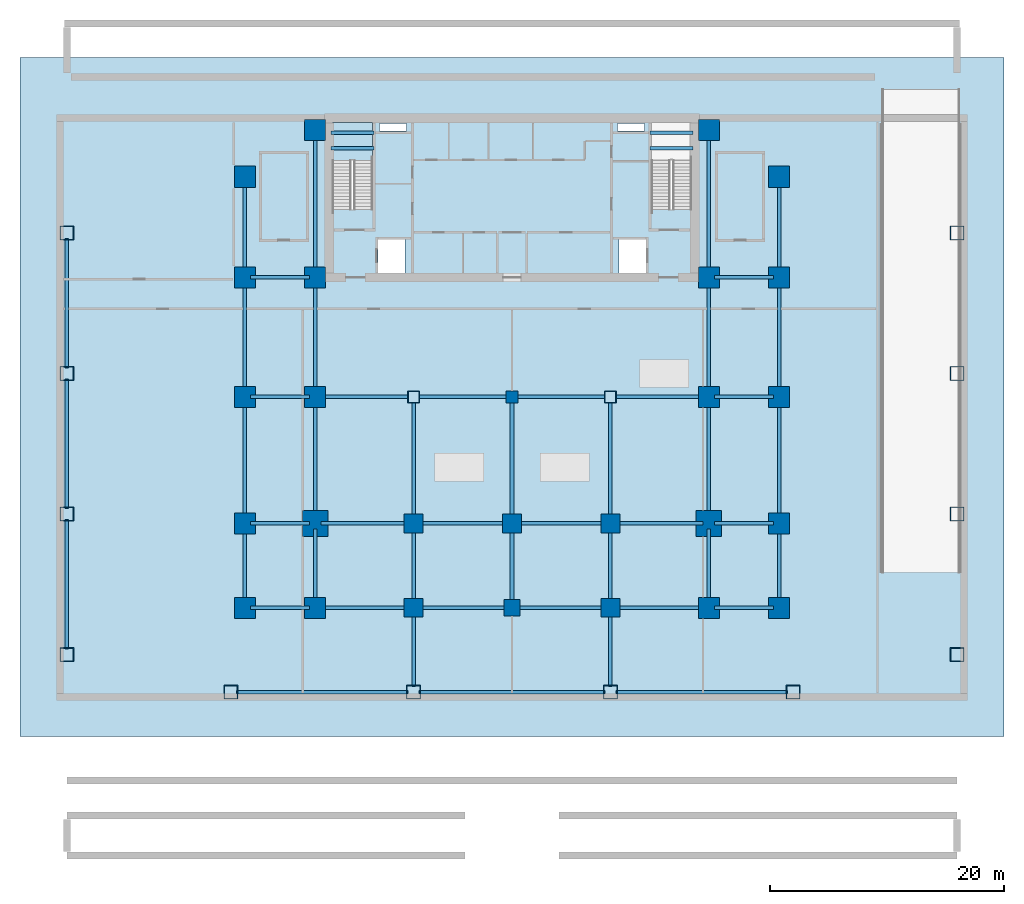
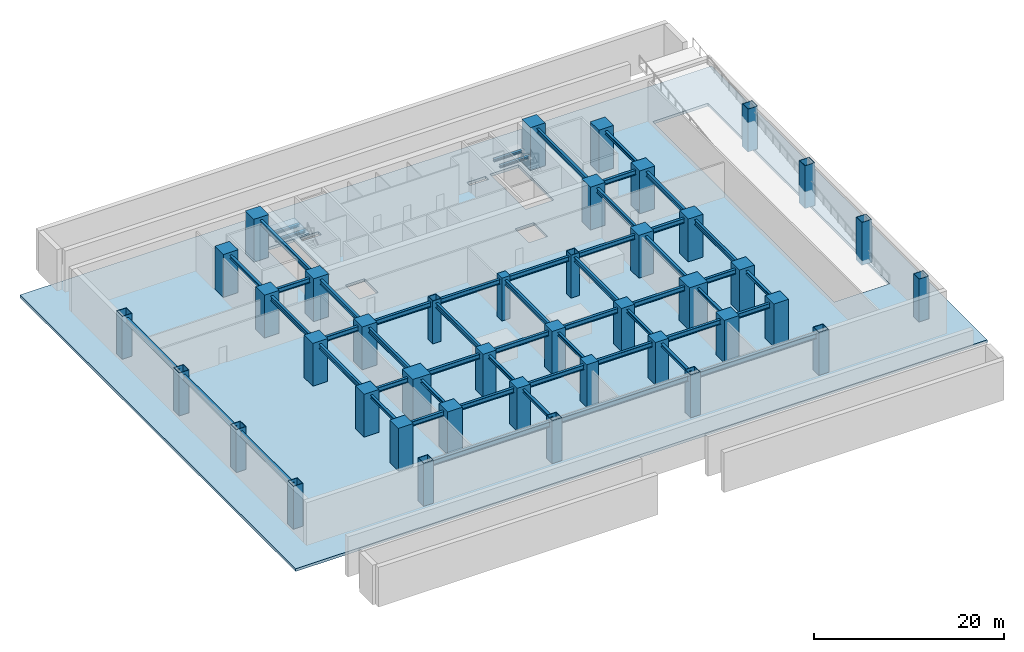
# One storey, part 1 of 8: 54 beams, 41 columns, 2 slabs, 1 element without a shape of its own.
"""IFC4 building model written with IfcOpenShell, lengths in metres."""

from ifc_helpers import new_model, si_unit, direction, frame, origin, origin_with_axes, origin_2d, place, context, subcontext, project, spatial, polyline, rectangle, hollow_rectangle, i_section, outline, extrude, source, transform, mapped, material, layer, layer_set, material_profile, profile_set, type_object, element, aggregate, save


model = new_model("IFC4")

# Units and contexts
model_context = context("Model", 3, precision=1e-05, world=origin(), true_north=direction((0.0, 1.0)))
body_context = subcontext(model_context, "Body", "Model", "MODEL_VIEW")
ifc_project = project(units=[si_unit("LENGTHUNIT", "METRE"), si_unit("AREAUNIT", "SQUARE_METRE"), si_unit("VOLUMEUNIT", "CUBIC_METRE"), si_unit("PLANEANGLEUNIT", "RADIAN"), si_unit("MASSUNIT", "GRAM", prefix="KILO")], contexts=[model_context])

# Site, building, storey
site_placement = place(None, origin())
site = spatial("IfcSite", under=ifc_project, at=site_placement, CompositionType="ELEMENT")
building_placement = place(site_placement, origin())
building = spatial("IfcBuilding", under=site, at=building_placement, Name="Sumidabori Civic Tower", CompositionType="ELEMENT")
storey_placement = place(building_placement, frame((0.0, 0.0, -5.5)))
storey = spatial("IfcBuildingStorey", under=building, at=storey_placement, Name="B1", CompositionType="ELEMENT", Elevation=-5.5)

# Columns
ifc_material_1 = material(Name="Steel SM570", Category="steel")
ifc_material_profile_1 = material_profile(ifc_material_1, hollow_rectangle(XDim=1.199951171875, YDim=1.199951171875, WallThickness=0.054931640625, at=origin_2d()), Name="SHS 1200x1200x55")
ifc_profile_set_1 = profile_set([ifc_material_profile_1], Name="Steel SM570")
column_type_1 = type_object("IfcColumnType", Name="CL-POD-SHS1200", PredefinedType="COLUMN", material=ifc_profile_set_1)
shared_shape_1 = source(origin(), body_context, "Body", "SweptSolid", [
    extrude(hollow_rectangle(XDim=1.199951171875, YDim=1.199951171875, WallThickness=0.054931640625, at=origin_2d()), origin(), (0.0, 0.0, 1.0), 5.5),
])
for number, where, z_axis, x_axis, name in (
    (1, (-38.0, -22.0, 0.0), (0.0, 0.0, 1.0), (1.0, 0.0, 0.0), "Column PC-W1 B1"),
    (2, (-38.0, -10.0, 0.0), (0.0, 0.0, 1.0), (1.0, 0.0, 0.0), "Column PC-W2 B1"),
    (3, (-38.0, 2.0, 0.0), (0.0, 0.0, 1.0), (1.0, 0.0, 0.0), "Column PC-W3 B1"),
    (4, (-38.0, 14.0, 0.0), (0.0, 0.0, 1.0), (1.0, 0.0, 0.0), "Column PC-W4 B1"),
    (5, (38.0, -22.0, 0.0), (0.0, 0.0, 1.0), (1.0, 0.0, 0.0), "Column PC-E1 B1"),
    (6, (38.0, -10.0, 0.0), (0.0, 0.0, 1.0), (1.0, 0.0, 0.0), "Column PC-E2 B1"),
    (7, (38.0, 2.0, 0.0), (0.0, 0.0, 1.0), (1.0, 0.0, 0.0), "Column PC-E3 B1"),
    (8, (38.0, 14.0, 0.0), (0.0, 0.0, 1.0), (1.0, 0.0, 0.0), "Column PC-E4 B1"),
    (9, (-24.0, -25.199951171875, 0.0), (0.0, 0.0, 1.0), (1.0, 0.0, 0.0), "Column PC-S1 B1"),
    (10, (-8.39990234375, -25.199951171875, 0.0), (0.0, 0.0, 1.0), (1.0, 0.0, 0.0), "Column PC-S2 B1"),
    (11, (8.39990234375, -25.199951171875, 0.0), (0.0, 0.0, 1.0), (1.0, 0.0, 0.0), "Column PC-S3 B1"),
    (12, (24.0, -25.199951171875, 0.0), (0.0, 0.0, 1.0), (1.0, 0.0, 0.0), "Column PC-S4 B1"),
):
    element("IfcColumn", number, at=place(storey_placement, frame(where, z_axis=z_axis, x_axis=x_axis)), inside=storey, type_object=column_type_1, Name=name, PredefinedType="COLUMN", context=body_context, shape_type="MappedRepresentation", body=[
        mapped(shared_shape_1, transform((0.0, 0.0, 0.0), x_axis=(1.0, 0.0, 0.0), y_axis=(0.0, 1.0, 0.0), z_axis=(0.0, 0.0, 1.0), scale=1.0)),
    ])
ifc_material_2 = material(Name="Concrete C60/75", Category="concrete")
ifc_material_profile_2 = material_profile(ifc_material_2, rectangle(XDim=1.800048828125, YDim=1.800048828125, at=origin_2d()), Name="RC 1800x1800")
ifc_profile_set_2 = profile_set([ifc_material_profile_2], Name="Concrete C60/75")
column_type_2 = type_object("IfcColumnType", Name="CL-MEGA-1800", PredefinedType="COLUMN", material=ifc_profile_set_2)
shared_shape_2 = source(origin(), body_context, "Body", "SweptSolid", [
    extrude(rectangle(XDim=1.800048828125, YDim=1.800048828125, at=origin_2d()), origin(), (0.0, 0.0, 1.0), 5.5),
])
for number, where, z_axis, x_axis, name in (
    (13, (-16.800048828125, -18.0, 0.0), (0.0, 0.0, 1.0), (1.0, 0.0, 0.0), "Column MC-W16-Y18S B1"),
    (14, (-16.800048828125, 0.0, 0.0), (0.0, 0.0, 1.0), (1.0, 0.0, 0.0), "Column MC-W16-Y00 B1"),
    (15, (-16.800048828125, 10.199951171875, 0.0), (0.0, 0.0, 1.0), (1.0, 0.0, 0.0), "Column MC-W16-Y10N B1"),
    (16, (-16.800048828125, 22.800048828125, 0.0), (0.0, 0.0, 1.0), (1.0, 0.0, 0.0), "Column MC-W16-Y23N B1"),
    (17, (16.800048828125, -18.0, 0.0), (0.0, 0.0, 1.0), (1.0, 0.0, 0.0), "Column MC-E16-Y18S B1"),
    (18, (16.800048828125, 0.0, 0.0), (0.0, 0.0, 1.0), (1.0, 0.0, 0.0), "Column MC-E16-Y00 B1"),
    (19, (16.800048828125, 10.199951171875, 0.0), (0.0, 0.0, 1.0), (1.0, 0.0, 0.0), "Column MC-E16-Y10N B1"),
    (20, (16.800048828125, 22.800048828125, 0.0), (0.0, 0.0, 1.0), (1.0, 0.0, 0.0), "Column MC-E16-Y23N B1"),
    (21, (-22.800048828125, -18.0, 0.0), (0.0, 0.0, 1.0), (1.0, 0.0, 0.0), "Column MC-W23-Y18S B1"),
    (22, (-22.800048828125, -10.800048828125, 0.0), (0.0, 0.0, 1.0), (1.0, 0.0, 0.0), "Column MC-W23-Y11S B1"),
    (23, (-22.800048828125, 0.0, 0.0), (0.0, 0.0, 1.0), (1.0, 0.0, 0.0), "Column MC-W23-Y00 B1"),
    (24, (-22.800048828125, 10.199951171875, 0.0), (0.0, 0.0, 1.0), (1.0, 0.0, 0.0), "Column MC-W23-Y10N B1"),
    (25, (-22.800048828125, 18.800048828125, 0.0), (0.0, 0.0, 1.0), (1.0, 0.0, 0.0), "Column MC-W23-Y19N B1"),
    (26, (22.800048828125, -18.0, 0.0), (0.0, 0.0, 1.0), (1.0, 0.0, 0.0), "Column MC-E23-Y18S B1"),
    (27, (22.800048828125, -10.800048828125, 0.0), (0.0, 0.0, 1.0), (1.0, 0.0, 0.0), "Column MC-E23-Y11S B1"),
    (28, (22.800048828125, 0.0, 0.0), (0.0, 0.0, 1.0), (1.0, 0.0, 0.0), "Column MC-E23-Y00 B1"),
    (29, (22.800048828125, 10.199951171875, 0.0), (0.0, 0.0, 1.0), (1.0, 0.0, 0.0), "Column MC-E23-Y10N B1"),
    (30, (22.800048828125, 18.800048828125, 0.0), (0.0, 0.0, 1.0), (1.0, 0.0, 0.0), "Column MC-E23-Y19N B1"),
):
    element("IfcColumn", number, at=place(storey_placement, frame(where, z_axis=z_axis, x_axis=x_axis)), inside=storey, type_object=column_type_2, Name=name, PredefinedType="COLUMN", context=body_context, shape_type="MappedRepresentation", body=[
        mapped(shared_shape_2, transform((0.0, 0.0, 0.0), x_axis=(1.0, 0.0, 0.0), y_axis=(0.0, 1.0, 0.0), z_axis=(0.0, 0.0, 1.0), scale=1.0)),
    ])
ifc_material_profile_3 = material_profile(ifc_material_2, rectangle(XDim=2.199951171875, YDim=2.199951171875, at=origin_2d()), Name="RC 2200x2200")
ifc_profile_set_3 = profile_set([ifc_material_profile_3], Name="Concrete C60/75")
column_type_3 = type_object("IfcColumnType", Name="CL-SUPER-2200", PredefinedType="COLUMN", material=ifc_profile_set_3)
shared_shape_3 = source(origin(), body_context, "Body", "SweptSolid", [
    extrude(rectangle(XDim=2.199951171875, YDim=2.199951171875, at=origin_2d()), origin(), (0.0, 0.0, 1.0), 5.5),
])
for number, where, z_axis, x_axis, name in (
    (31, (-16.800048828125, -10.800048828125, 0.0), (0.0, 0.0, 1.0), (1.0, 0.0, 0.0), "Column MC-W16-Y11S B1"),
    (32, (16.800048828125, -10.800048828125, 0.0), (0.0, 0.0, 1.0), (1.0, 0.0, 0.0), "Column MC-E16-Y11S B1"),
):
    element("IfcColumn", number, at=place(storey_placement, frame(where, z_axis=z_axis, x_axis=x_axis)), inside=storey, type_object=column_type_3, Name=name, PredefinedType="COLUMN", context=body_context, shape_type="MappedRepresentation", body=[
        mapped(shared_shape_3, transform((0.0, 0.0, 0.0), x_axis=(1.0, 0.0, 0.0), y_axis=(0.0, 1.0, 0.0), z_axis=(0.0, 0.0, 1.0), scale=1.0)),
    ])
ifc_material_profile_4 = material_profile(ifc_material_2, rectangle(XDim=1.60009765625, YDim=1.60009765625, at=origin_2d()), Name="RC 1600x1600")
ifc_profile_set_4 = profile_set([ifc_material_profile_4], Name="Concrete C60/75")
column_type_4 = type_object("IfcColumnType", Name="CL-MEGA-1600", PredefinedType="COLUMN", material=ifc_profile_set_4)
shared_shape_4 = source(origin(), body_context, "Body", "SweptSolid", [
    extrude(rectangle(XDim=1.60009765625, YDim=1.60009765625, at=origin_2d()), origin(), (0.0, 0.0, 1.0), 5.5),
])
for number, where, z_axis, x_axis, name in (
    (33, (-8.39990234375, -18.0, 0.0), (0.0, 0.0, 1.0), (1.0, 0.0, 0.0), "Column MC-W08-Y18S B1"),
    (34, (-8.39990234375, -10.800048828125, 0.0), (0.0, 0.0, 1.0), (1.0, 0.0, 0.0), "Column MC-W08-Y11S B1"),
    (35, (8.39990234375, -18.0, 0.0), (0.0, 0.0, 1.0), (1.0, 0.0, 0.0), "Column MC-E08-Y18S B1"),
    (36, (8.39990234375, -10.800048828125, 0.0), (0.0, 0.0, 1.0), (1.0, 0.0, 0.0), "Column MC-E08-Y11S B1"),
    (37, (0.0, -10.800048828125, 0.0), (0.0, 0.0, 1.0), (1.0, 0.0, 0.0), "Column MC-C00-Y11S B1"),
):
    element("IfcColumn", number, at=place(storey_placement, frame(where, z_axis=z_axis, x_axis=x_axis)), inside=storey, type_object=column_type_4, Name=name, PredefinedType="COLUMN", context=body_context, shape_type="MappedRepresentation", body=[
        mapped(shared_shape_4, transform((0.0, 0.0, 0.0), x_axis=(1.0, 0.0, 0.0), y_axis=(0.0, 1.0, 0.0), z_axis=(0.0, 0.0, 1.0), scale=1.0)),
    ])
ifc_material_profile_5 = material_profile(ifc_material_1, hollow_rectangle(XDim=1.0, YDim=1.0, WallThickness=0.044921875, at=origin_2d()), Name="SHS 1000x1000x45")
ifc_profile_set_5 = profile_set([ifc_material_profile_5], Name="Steel SM570")
column_type_5 = type_object("IfcColumnType", Name="CL-PORTAL-SHS1000", PredefinedType="COLUMN", material=ifc_profile_set_5)
shared_shape_5 = source(origin(), body_context, "Body", "SweptSolid", [
    extrude(hollow_rectangle(XDim=1.0, YDim=1.0, WallThickness=0.044921875, at=origin_2d()), origin(), (0.0, 0.0, 1.0), 5.5),
])
for number, where, z_axis, x_axis, name in (
    (38, (-8.39990234375, 0.0, 0.0), (0.0, 0.0, 1.0), (1.0, 0.0, 0.0), "Column MC-W08-Y00 B1"),
    (39, (8.39990234375, 0.0, 0.0), (0.0, 0.0, 1.0), (1.0, 0.0, 0.0), "Column MC-E08-Y00 B1"),
):
    element("IfcColumn", number, at=place(storey_placement, frame(where, z_axis=z_axis, x_axis=x_axis)), inside=storey, type_object=column_type_5, Name=name, PredefinedType="COLUMN", context=body_context, shape_type="MappedRepresentation", body=[
        mapped(shared_shape_5, transform((0.0, 0.0, 0.0), x_axis=(1.0, 0.0, 0.0), y_axis=(0.0, 1.0, 0.0), z_axis=(0.0, 0.0, 1.0), scale=1.0)),
    ])
ifc_material_profile_6 = material_profile(ifc_material_2, rectangle(XDim=1.39990234375, YDim=1.39990234375, at=origin_2d()), Name="RC 1400x1400")
ifc_profile_set_6 = profile_set([ifc_material_profile_6], Name="Concrete C60/75")
column_type_6 = type_object("IfcColumnType", Name="CL-MEGA-1400", PredefinedType="COLUMN", material=ifc_profile_set_6)
shared_shape_6 = source(origin(), body_context, "Body", "SweptSolid", [
    extrude(rectangle(XDim=1.39990234375, YDim=1.39990234375, at=origin_2d()), origin(), (0.0, 0.0, 1.0), 5.5),
])
column_1_placement = place(storey_placement, frame((0.0, -18.0, 0.0), z_axis=(0.0, 0.0, 1.0), x_axis=(1.0, 0.0, 0.0)))
element("IfcColumn", 40, at=column_1_placement, inside=storey, type_object=column_type_6, Name="Column MC-C00-Y18S B1", PredefinedType="COLUMN", context=body_context, shape_type="MappedRepresentation", body=[
    mapped(shared_shape_6, transform((0.0, 0.0, 0.0), x_axis=(1.0, 0.0, 0.0), y_axis=(0.0, 1.0, 0.0), z_axis=(0.0, 0.0, 1.0), scale=1.0)),
])
ifc_material_3 = material(Name="Concrete C50/60", Category="concrete")
ifc_material_profile_7 = material_profile(ifc_material_3, rectangle(XDim=1.0, YDim=1.0, at=origin_2d()), Name="RC 1000x1000")
ifc_profile_set_7 = profile_set([ifc_material_profile_7], Name="Concrete C50/60")
column_type_7 = type_object("IfcColumnType", Name="CL-INT-1000", PredefinedType="COLUMN", material=ifc_profile_set_7)
shared_shape_7 = source(origin(), body_context, "Body", "SweptSolid", [
    extrude(rectangle(XDim=1.0, YDim=1.0, at=origin_2d()), origin(), (0.0, 0.0, 1.0), 5.5),
])
column_2_placement = place(storey_placement, origin_with_axes())
element("IfcColumn", 41, at=column_2_placement, inside=storey, type_object=column_type_7, Name="Column MC-C00-Y00 B1", PredefinedType="COLUMN", context=body_context, shape_type="MappedRepresentation", body=[
    mapped(shared_shape_7, transform((0.0, 0.0, 0.0), x_axis=(1.0, 0.0, 0.0), y_axis=(0.0, 1.0, 0.0), z_axis=(0.0, 0.0, 1.0), scale=1.0)),
])

# Beams
ifc_material_4 = material(Name="Steel SN490", Category="steel")
ifc_material_profile_8 = material_profile(ifc_material_4, i_section(OverallWidth=0.300048828125, OverallDepth=0.300048828125, WebThickness=0.010986328125, FlangeThickness=0.01904296875, at=origin_2d()), Name="HE 300 B")
ifc_profile_set_8 = profile_set([ifc_material_profile_8], Name="Steel SN490")
beam_type_1 = type_object("IfcBeamType", Name="BM-LDG-300", PredefinedType="BEAM", material=ifc_profile_set_8)
shared_shape_8 = source(origin(), body_context, "Body", "SweptSolid", [
    extrude(i_section(OverallWidth=0.300048828125, OverallDepth=0.300048828125, WebThickness=0.010986328125, FlangeThickness=0.01904296875, at=origin_2d()), origin(), (0.0, 0.0, 1.0), 3.64990234375),
])
for number, where, z_axis, x_axis, name in (
    (42, (-15.449951171875, 21.239990234375, 2.39990234375), (1.0, 0.0, 0.0), (0.0, 1.0, 0.0), "Stair ST-1 Landing Support Beam B1-1A"),
    (43, (-15.449951171875, 22.5400390625, 2.39990234375), (1.0, 0.0, 0.0), (0.0, 1.0, 0.0), "Stair ST-1 Landing Trimmer Beam B1-1B"),
    (44, (11.800048828125, 21.239990234375, 2.39990234375), (1.0, 0.0, 0.0), (0.0, 1.0, 0.0), "Stair ST-2 Landing Support Beam B1-1A"),
    (45, (11.800048828125, 22.5400390625, 2.39990234375), (1.0, 0.0, 0.0), (0.0, 1.0, 0.0), "Stair ST-2 Landing Trimmer Beam B1-1B"),
):
    element("IfcBeam", number, at=place(storey_placement, frame(where, z_axis=z_axis, x_axis=x_axis)), inside=storey, type_object=beam_type_1, Name=name, PredefinedType="BEAM", context=body_context, shape_type="MappedRepresentation", body=[
        mapped(shared_shape_8, transform((0.0, 0.0, 0.0), x_axis=(1.0, 0.0, 0.0), y_axis=(0.0, 1.0, 0.0), z_axis=(0.0, 0.0, 1.0), scale=1.0)),
    ])
ifc_material_profile_9 = material_profile(ifc_material_4, i_section(OverallWidth=0.300048828125, OverallDepth=0.699951171875, WebThickness=0.01708984375, FlangeThickness=0.031982421875, at=origin_2d()), Name="HE 700 B")
ifc_profile_set_9 = profile_set([ifc_material_profile_9], Name="Steel SN490")
beam_type_2 = type_object("IfcBeamType", Name="BM-GIRD-700", PredefinedType="BEAM", material=ifc_profile_set_9)
shared_shape_9 = source(origin(), body_context, "Body", "SweptSolid", [
    extrude(i_section(OverallWidth=0.300048828125, OverallDepth=0.699951171875, WebThickness=0.01708984375, FlangeThickness=0.031982421875, at=origin_2d()), origin(), (0.0, 0.0, 1.0), 14.64013671875),
])
for number, where, z_axis, x_axis, name in (
    (46, (-23.52001953125, -25.199951171875, 4.7900390625), (1.0, 0.0, 0.0), (0.0, 1.0, 0.0), "Primary Girder B1 GX-01"),
    (47, (8.8798828125, -25.199951171875, 4.7900390625), (1.0, 0.0, 0.0), (0.0, 1.0, 0.0), "Primary Girder B1 GX-03"),
):
    element("IfcBeam", number, at=place(storey_placement, frame(where, z_axis=z_axis, x_axis=x_axis)), inside=storey, type_object=beam_type_2, Name=name, PredefinedType="BEAM", context=body_context, shape_type="MappedRepresentation", body=[
        mapped(shared_shape_9, transform((0.0, 0.0, 0.0), x_axis=(1.0, 0.0, 0.0), y_axis=(0.0, 1.0, 0.0), z_axis=(0.0, 0.0, 1.0), scale=1.0)),
    ])
shared_shape_10 = source(origin(), body_context, "Body", "SweptSolid", [
    extrude(i_section(OverallWidth=0.300048828125, OverallDepth=0.699951171875, WebThickness=0.01708984375, FlangeThickness=0.031982421875, at=origin_2d()), origin(), (0.0, 0.0, 1.0), 15.83984375),
])
beam_placement = place(storey_placement, frame((-7.919921875, -25.199951171875, 4.7900390625), z_axis=(1.0, 0.0, 0.0), x_axis=(0.0, 1.0, 0.0)))
element("IfcBeam", 48, at=beam_placement, inside=storey, type_object=beam_type_2, Name="Primary Girder B1 GX-02", PredefinedType="BEAM", context=body_context, shape_type="MappedRepresentation", body=[
    mapped(shared_shape_10, transform((0.0, 0.0, 0.0), x_axis=(1.0, 0.0, 0.0), y_axis=(0.0, 1.0, 0.0), z_axis=(0.0, 0.0, 1.0), scale=1.0)),
])
ifc_material_profile_10 = material_profile(ifc_material_4, i_section(OverallWidth=0.300048828125, OverallDepth=0.60009765625, WebThickness=0.015380859375, FlangeThickness=0.030029296875, at=origin_2d()), Name="HE 600 B")
ifc_profile_set_10 = profile_set([ifc_material_profile_10], Name="Steel SN490")
beam_type_3 = type_object("IfcBeamType", Name="BM-GIRD-600", PredefinedType="BEAM", material=ifc_profile_set_10)
shared_shape_11 = source(origin(), body_context, "Body", "SweptSolid", [
    extrude(i_section(OverallWidth=0.300048828125, OverallDepth=0.60009765625, WebThickness=0.015380859375, FlangeThickness=0.030029296875, at=origin_2d()), origin(), (0.0, 0.0, 1.0), 5.0400390625),
])
for number, where, z_axis, x_axis, name in (
    (49, (-22.320068359375, -18.0, 4.840087890625), (1.0, 0.0, 0.0), (0.0, 1.0, 0.0), "Primary Girder B1 GX-04"),
    (50, (17.280029296875, -18.0, 4.840087890625), (1.0, 0.0, 0.0), (0.0, 1.0, 0.0), "Primary Girder B1 GX-09"),
    (51, (-22.320068359375, -10.800048828125, 4.840087890625), (1.0, 0.0, 0.0), (0.0, 1.0, 0.0), "Primary Girder B1 GX-10"),
    (52, (17.280029296875, -10.800048828125, 4.840087890625), (1.0, 0.0, 0.0), (0.0, 1.0, 0.0), "Primary Girder B1 GX-15"),
    (53, (-22.320068359375, 0.0, 4.840087890625), (1.0, 0.0, 0.0), (0.0, 1.0, 0.0), "Primary Girder B1 GX-16"),
    (54, (17.280029296875, 0.0, 4.840087890625), (1.0, 0.0, 0.0), (0.0, 1.0, 0.0), "Primary Girder B1 GX-21"),
    (55, (-22.320068359375, 10.199951171875, 4.840087890625), (1.0, 0.0, 0.0), (0.0, 1.0, 0.0), "Primary Girder B1 GX-22"),
    (56, (17.280029296875, 10.199951171875, 4.840087890625), (1.0, 0.0, 0.0), (0.0, 1.0, 0.0), "Primary Girder B1 GX-23"),
):
    element("IfcBeam", number, at=place(storey_placement, frame(where, z_axis=z_axis, x_axis=x_axis)), inside=storey, type_object=beam_type_3, Name=name, PredefinedType="BEAM", context=body_context, shape_type="MappedRepresentation", body=[
        mapped(shared_shape_11, transform((0.0, 0.0, 0.0), x_axis=(1.0, 0.0, 0.0), y_axis=(0.0, 1.0, 0.0), z_axis=(0.0, 0.0, 1.0), scale=1.0)),
    ])
shared_shape_12 = source(origin(), body_context, "Body", "SweptSolid", [
    extrude(i_section(OverallWidth=0.300048828125, OverallDepth=0.60009765625, WebThickness=0.015380859375, FlangeThickness=0.030029296875, at=origin_2d()), origin(), (0.0, 0.0, 1.0), 7.440185546875),
])
for number, where, z_axis, x_axis, name in (
    (57, (-16.320068359375, -18.0, 4.840087890625), (1.0, 0.0, 0.0), (0.0, 1.0, 0.0), "Primary Girder B1 GX-05"),
    (58, (8.8798828125, -18.0, 4.840087890625), (1.0, 0.0, 0.0), (0.0, 1.0, 0.0), "Primary Girder B1 GX-08"),
    (59, (-16.320068359375, -10.800048828125, 4.840087890625), (1.0, 0.0, 0.0), (0.0, 1.0, 0.0), "Primary Girder B1 GX-11"),
    (60, (8.8798828125, -10.800048828125, 4.840087890625), (1.0, 0.0, 0.0), (0.0, 1.0, 0.0), "Primary Girder B1 GX-14"),
    (61, (-16.320068359375, 0.0, 4.840087890625), (1.0, 0.0, 0.0), (0.0, 1.0, 0.0), "Primary Girder B1 GX-17"),
    (62, (8.8798828125, 0.0, 4.840087890625), (1.0, 0.0, 0.0), (0.0, 1.0, 0.0), "Primary Girder B1 GX-20"),
):
    element("IfcBeam", number, at=place(storey_placement, frame(where, z_axis=z_axis, x_axis=x_axis)), inside=storey, type_object=beam_type_3, Name=name, PredefinedType="BEAM", context=body_context, shape_type="MappedRepresentation", body=[
        mapped(shared_shape_12, transform((0.0, 0.0, 0.0), x_axis=(1.0, 0.0, 0.0), y_axis=(0.0, 1.0, 0.0), z_axis=(0.0, 0.0, 1.0), scale=1.0)),
    ])
shared_shape_13 = source(origin(), body_context, "Body", "SweptSolid", [
    extrude(i_section(OverallWidth=0.300048828125, OverallDepth=0.60009765625, WebThickness=0.015380859375, FlangeThickness=0.030029296875, at=origin_2d()), origin(), (0.0, 0.0, 1.0), 7.43994140625),
])
for number, where, z_axis, x_axis, name in (
    (63, (-7.919921875, -18.0, 4.840087890625), (1.0, 0.0, 0.0), (0.0, 1.0, 0.0), "Primary Girder B1 GX-06"),
    (64, (0.47998046875, -18.0, 4.840087890625), (1.0, 0.0, 0.0), (0.0, 1.0, 0.0), "Primary Girder B1 GX-07"),
    (65, (-7.919921875, -10.800048828125, 4.840087890625), (1.0, 0.0, 0.0), (0.0, 1.0, 0.0), "Primary Girder B1 GX-12"),
    (66, (0.47998046875, -10.800048828125, 4.840087890625), (1.0, 0.0, 0.0), (0.0, 1.0, 0.0), "Primary Girder B1 GX-13"),
    (67, (-7.919921875, 0.0, 4.840087890625), (1.0, 0.0, 0.0), (0.0, 1.0, 0.0), "Primary Girder B1 GX-18"),
    (68, (0.47998046875, 0.0, 4.840087890625), (1.0, 0.0, 0.0), (0.0, 1.0, 0.0), "Primary Girder B1 GX-19"),
):
    element("IfcBeam", number, at=place(storey_placement, frame(where, z_axis=z_axis, x_axis=x_axis)), inside=storey, type_object=beam_type_3, Name=name, PredefinedType="BEAM", context=body_context, shape_type="MappedRepresentation", body=[
        mapped(shared_shape_13, transform((0.0, 0.0, 0.0), x_axis=(1.0, 0.0, 0.0), y_axis=(0.0, 1.0, 0.0), z_axis=(0.0, 0.0, 1.0), scale=1.0)),
    ])
shared_shape_14 = source(origin(), body_context, "Body", "SweptSolid", [
    extrude(i_section(OverallWidth=0.300048828125, OverallDepth=0.60009765625, WebThickness=0.015380859375, FlangeThickness=0.030029296875, at=origin_2d()), origin(), (0.0, 0.0, 1.0), 11.0400390625),
])
for number, where, z_axis, x_axis, name in (
    (69, (-38.0, -21.52001953125, 4.840087890625), (0.0, 1.0, 0.0), (-1.0, 0.0, 0.0), "Primary Girder B1 GY-24"),
    (70, (-38.0, -9.52001953125, 4.840087890625), (0.0, 1.0, 0.0), (-1.0, 0.0, 0.0), "Primary Girder B1 GY-25"),
    (71, (-38.0, 2.47998046875, 4.840087890625), (0.0, 1.0, 0.0), (-1.0, 0.0, 0.0), "Primary Girder B1 GY-26"),
):
    element("IfcBeam", number, at=place(storey_placement, frame(where, z_axis=z_axis, x_axis=x_axis)), inside=storey, type_object=beam_type_3, Name=name, PredefinedType="BEAM", context=body_context, shape_type="MappedRepresentation", body=[
        mapped(shared_shape_14, transform((0.0, 0.0, 0.0), x_axis=(1.0, 0.0, 0.0), y_axis=(0.0, 1.0, 0.0), z_axis=(0.0, 0.0, 1.0), scale=1.0)),
    ])
ifc_material_profile_11 = material_profile(ifc_material_4, i_section(OverallWidth=0.300048828125, OverallDepth=0.39990234375, WebThickness=0.013427734375, FlangeThickness=0.02392578125, at=origin_2d()), Name="HE 400 B")
ifc_profile_set_11 = profile_set([ifc_material_profile_11], Name="Steel SN490")
beam_type_4 = type_object("IfcBeamType", Name="BM-GIRD-400", PredefinedType="BEAM", material=ifc_profile_set_11)
shared_shape_15 = source(origin(), body_context, "Body", "SweptSolid", [
    extrude(i_section(OverallWidth=0.300048828125, OverallDepth=0.39990234375, WebThickness=0.013427734375, FlangeThickness=0.02392578125, at=origin_2d()), origin(), (0.0, 0.0, 1.0), 6.239990234375),
])
for number, where, z_axis, x_axis, name in (
    (72, (-22.800048828125, -17.52001953125, 4.93994140625), (0.0, 1.0, 0.0), (-1.0, 0.0, 0.0), "Primary Girder B1 GY-27"),
    (73, (-16.800048828125, -17.52001953125, 4.93994140625), (0.0, 1.0, 0.0), (-1.0, 0.0, 0.0), "Primary Girder B1 GY-31"),
    (74, (-8.39990234375, -24.719970703125, 4.93994140625), (0.0, 1.0, 0.0), (-1.0, 0.0, 0.0), "Primary Girder B1 GY-35"),
    (75, (-8.39990234375, -17.52001953125, 4.93994140625), (0.0, 1.0, 0.0), (-1.0, 0.0, 0.0), "Primary Girder B1 GY-36"),
    (76, (0.0, -17.52001953125, 4.93994140625), (0.0, 1.0, 0.0), (-1.0, 0.0, 0.0), "Primary Girder B1 GY-38"),
    (77, (8.39990234375, -24.719970703125, 4.93994140625), (0.0, 1.0, 0.0), (-1.0, 0.0, 0.0), "Primary Girder B1 GY-40"),
    (78, (8.39990234375, -17.52001953125, 4.93994140625), (0.0, 1.0, 0.0), (-1.0, 0.0, 0.0), "Primary Girder B1 GY-41"),
    (79, (16.800048828125, -17.52001953125, 4.93994140625), (0.0, 1.0, 0.0), (-1.0, 0.0, 0.0), "Primary Girder B1 GY-43"),
    (80, (22.800048828125, -17.52001953125, 4.93994140625), (0.0, 1.0, 0.0), (-1.0, 0.0, 0.0), "Primary Girder B1 GY-47"),
):
    element("IfcBeam", number, at=place(storey_placement, frame(where, z_axis=z_axis, x_axis=x_axis)), inside=storey, type_object=beam_type_4, Name=name, PredefinedType="BEAM", context=body_context, shape_type="MappedRepresentation", body=[
        mapped(shared_shape_15, transform((0.0, 0.0, 0.0), x_axis=(1.0, 0.0, 0.0), y_axis=(0.0, 1.0, 0.0), z_axis=(0.0, 0.0, 1.0), scale=1.0)),
    ])
shared_shape_16 = source(origin(), body_context, "Body", "SweptSolid", [
    extrude(i_section(OverallWidth=0.300048828125, OverallDepth=0.60009765625, WebThickness=0.015380859375, FlangeThickness=0.030029296875, at=origin_2d()), origin(), (0.0, 0.0, 1.0), 9.840087890625),
])
for number, where, z_axis, x_axis, name in (
    (81, (-22.800048828125, -10.320068359375, 4.840087890625), (0.0, 1.0, 0.0), (-1.0, 0.0, 0.0), "Primary Girder B1 GY-28"),
    (82, (-16.800048828125, -10.320068359375, 4.840087890625), (0.0, 1.0, 0.0), (-1.0, 0.0, 0.0), "Primary Girder B1 GY-32"),
    (83, (-8.39990234375, -10.320068359375, 4.840087890625), (0.0, 1.0, 0.0), (-1.0, 0.0, 0.0), "Primary Girder B1 GY-37"),
    (84, (0.0, -10.320068359375, 4.840087890625), (0.0, 1.0, 0.0), (-1.0, 0.0, 0.0), "Primary Girder B1 GY-39"),
    (85, (8.39990234375, -10.320068359375, 4.840087890625), (0.0, 1.0, 0.0), (-1.0, 0.0, 0.0), "Primary Girder B1 GY-42"),
    (86, (16.800048828125, -10.320068359375, 4.840087890625), (0.0, 1.0, 0.0), (-1.0, 0.0, 0.0), "Primary Girder B1 GY-44"),
    (87, (22.800048828125, -10.320068359375, 4.840087890625), (0.0, 1.0, 0.0), (-1.0, 0.0, 0.0), "Primary Girder B1 GY-48"),
):
    element("IfcBeam", number, at=place(storey_placement, frame(where, z_axis=z_axis, x_axis=x_axis)), inside=storey, type_object=beam_type_3, Name=name, PredefinedType="BEAM", context=body_context, shape_type="MappedRepresentation", body=[
        mapped(shared_shape_16, transform((0.0, 0.0, 0.0), x_axis=(1.0, 0.0, 0.0), y_axis=(0.0, 1.0, 0.0), z_axis=(0.0, 0.0, 1.0), scale=1.0)),
    ])
shared_shape_17 = source(origin(), body_context, "Body", "SweptSolid", [
    extrude(i_section(OverallWidth=0.300048828125, OverallDepth=0.60009765625, WebThickness=0.015380859375, FlangeThickness=0.030029296875, at=origin_2d()), origin(), (0.0, 0.0, 1.0), 9.239990234375),
])
for number, where, z_axis, x_axis, name in (
    (88, (-22.800048828125, 0.47998046875, 4.840087890625), (0.0, 1.0, 0.0), (-1.0, 0.0, 0.0), "Primary Girder B1 GY-29"),
    (89, (-16.800048828125, 0.47998046875, 4.840087890625), (0.0, 1.0, 0.0), (-1.0, 0.0, 0.0), "Primary Girder B1 GY-33"),
    (90, (16.800048828125, 0.47998046875, 4.840087890625), (0.0, 1.0, 0.0), (-1.0, 0.0, 0.0), "Primary Girder B1 GY-45"),
    (91, (22.800048828125, 0.47998046875, 4.840087890625), (0.0, 1.0, 0.0), (-1.0, 0.0, 0.0), "Primary Girder B1 GY-49"),
):
    element("IfcBeam", number, at=place(storey_placement, frame(where, z_axis=z_axis, x_axis=x_axis)), inside=storey, type_object=beam_type_3, Name=name, PredefinedType="BEAM", context=body_context, shape_type="MappedRepresentation", body=[
        mapped(shared_shape_17, transform((0.0, 0.0, 0.0), x_axis=(1.0, 0.0, 0.0), y_axis=(0.0, 1.0, 0.0), z_axis=(0.0, 0.0, 1.0), scale=1.0)),
    ])
shared_shape_18 = source(origin(), body_context, "Body", "SweptSolid", [
    extrude(i_section(OverallWidth=0.300048828125, OverallDepth=0.39990234375, WebThickness=0.013427734375, FlangeThickness=0.02392578125, at=origin_2d()), origin(), (0.0, 0.0, 1.0), 7.64013671875),
])
for number, where, z_axis, x_axis, name in (
    (92, (-22.800048828125, 10.679931640625, 4.93994140625), (0.0, 1.0, 0.0), (-1.0, 0.0, 0.0), "Primary Girder B1 GY-30"),
    (93, (22.800048828125, 10.679931640625, 4.93994140625), (0.0, 1.0, 0.0), (-1.0, 0.0, 0.0), "Primary Girder B1 GY-50"),
):
    element("IfcBeam", number, at=place(storey_placement, frame(where, z_axis=z_axis, x_axis=x_axis)), inside=storey, type_object=beam_type_4, Name=name, PredefinedType="BEAM", context=body_context, shape_type="MappedRepresentation", body=[
        mapped(shared_shape_18, transform((0.0, 0.0, 0.0), x_axis=(1.0, 0.0, 0.0), y_axis=(0.0, 1.0, 0.0), z_axis=(0.0, 0.0, 1.0), scale=1.0)),
    ])
shared_shape_19 = source(origin(), body_context, "Body", "SweptSolid", [
    extrude(i_section(OverallWidth=0.300048828125, OverallDepth=0.60009765625, WebThickness=0.015380859375, FlangeThickness=0.030029296875, at=origin_2d()), origin(), (0.0, 0.0, 1.0), 11.64013671875),
])
for number, where, z_axis, x_axis, name in (
    (94, (-16.800048828125, 10.679931640625, 4.840087890625), (0.0, 1.0, 0.0), (-1.0, 0.0, 0.0), "Primary Girder B1 GY-34"),
    (95, (16.800048828125, 10.679931640625, 4.840087890625), (0.0, 1.0, 0.0), (-1.0, 0.0, 0.0), "Primary Girder B1 GY-46"),
):
    element("IfcBeam", number, at=place(storey_placement, frame(where, z_axis=z_axis, x_axis=x_axis)), inside=storey, type_object=beam_type_3, Name=name, PredefinedType="BEAM", context=body_context, shape_type="MappedRepresentation", body=[
        mapped(shared_shape_19, transform((0.0, 0.0, 0.0), x_axis=(1.0, 0.0, 0.0), y_axis=(0.0, 1.0, 0.0), z_axis=(0.0, 0.0, 1.0), scale=1.0)),
    ])

# Slab
ifc_material_5 = material(Name="Concrete C40/50", Category="concrete")
ifc_layer_1 = layer(ifc_material_5, 0.35009765625, Name="Concrete C40/50")
ifc_layer_set_1 = layer_set([ifc_layer_1], Name="Concrete C40/50")
slab_type_1 = type_object("IfcSlabType", Name="SL-B1-350", PredefinedType="FLOOR", material=ifc_layer_set_1)
slab_1_placement = place(storey_placement, frame((0.0, 0.0, -0.35009765625)))
element("IfcSlab", 96, at=slab_1_placement, inside=storey, type_object=slab_type_1, Name="Structural Slab B1", PredefinedType="FLOOR", context=body_context, shape_type="SweptSolid", body=[
    extrude(outline(polyline([(-42.0, -29.0), (42.0, -29.0), (42.0, 29.0), (-42.0, 29.0), (-42.0, -29.0)]), holes=[polyline([(-11.89990234375, 16.0), (-11.89990234375, 23.449951171875), (-15.340087890625, 23.449951171875), (-15.340087890625, 16.0), (-11.89990234375, 16.0)]), polyline([(15.340087890625, 16.0), (15.340087890625, 23.449951171875), (11.89990234375, 23.449951171875), (11.89990234375, 16.0), (15.340087890625, 16.0)]), polyline([(-11.449951171875, 10.550048828125), (-9.14990234375, 10.550048828125), (-9.14990234375, 13.449951171875), (-11.449951171875, 13.449951171875), (-11.449951171875, 10.550048828125)]), polyline([(9.14990234375, 10.550048828125), (11.449951171875, 10.550048828125), (11.449951171875, 13.449951171875), (9.14990234375, 13.449951171875), (9.14990234375, 10.550048828125)]), polyline([(-11.300048828125, 22.719970703125), (-9.0, 22.719970703125), (-9.0, 23.35009765625), (-11.300048828125, 23.35009765625), (-11.300048828125, 22.719970703125)]), polyline([(9.0, 22.719970703125), (11.300048828125, 22.719970703125), (11.300048828125, 23.35009765625), (9.0, 23.35009765625), (9.0, 22.719970703125)]), polyline([(31.550048828125, -14.949951171875), (38.25, -14.949951171875), (38.25, 23.25), (31.550048828125, 23.25), (31.550048828125, -14.949951171875)])]), origin(), (0.0, 0.0, 1.0), 0.35009765625),
])

# Stair, slab
stair_type = type_object("IfcStairType", Name="ST-CORE-1600", PredefinedType="HALF_TURN_STAIR", material=ifc_material_5)
stair_placement = place(storey_placement, origin())
stair = element("IfcStair", 97, at=stair_placement, inside=storey, type_object=stair_type, Name="B1 ST-1", PredefinedType="HALF_TURN_STAIR")
ifc_layer_2 = layer(ifc_material_5, 0.199951171875, Name="Concrete C40/50")
ifc_layer_set_2 = layer_set([ifc_layer_2], Name="Concrete C40/50")
slab_type_2 = type_object("IfcSlabType", Name="SL-LAND-200", PredefinedType="LANDING", material=ifc_layer_set_2)
slab_2_placement = place(storey_placement, frame((0.0, 0.0, 2.550048828125)))
slab_2 = element("IfcSlab", 98, at=slab_2_placement, type_object=slab_type_2, Name="ST-1 landing 1", PredefinedType="LANDING", context=body_context, shape_type="SweptSolid", body=[
    extrude(outline(polyline([(-11.89990234375, 20.199951171875), (-11.89990234375, 23.449951171875), (-15.340087890625, 23.449951171875), (-15.340087890625, 20.199951171875), (-11.89990234375, 20.199951171875)])), origin(), (0.0, 0.0, 1.0), 0.199951171875),
])
aggregate(stair, [slab_2])

save(model, "model.ifc")
